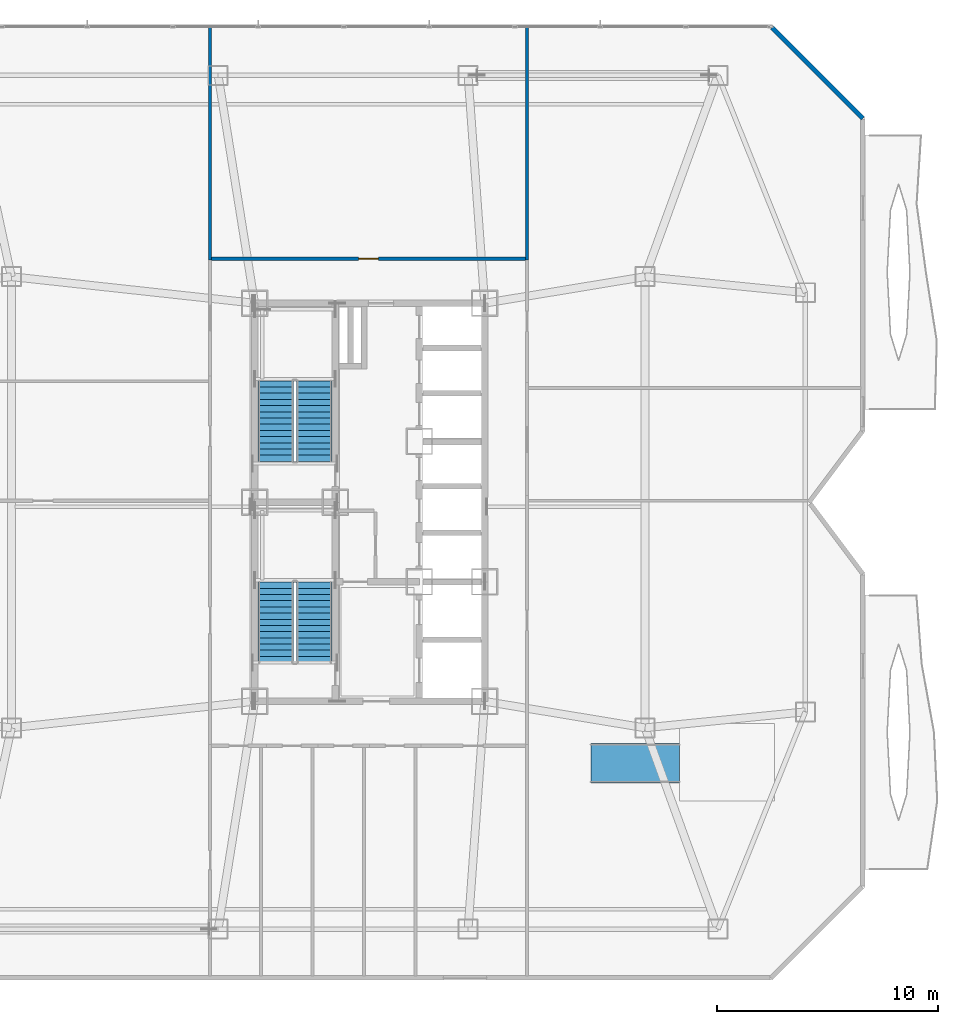
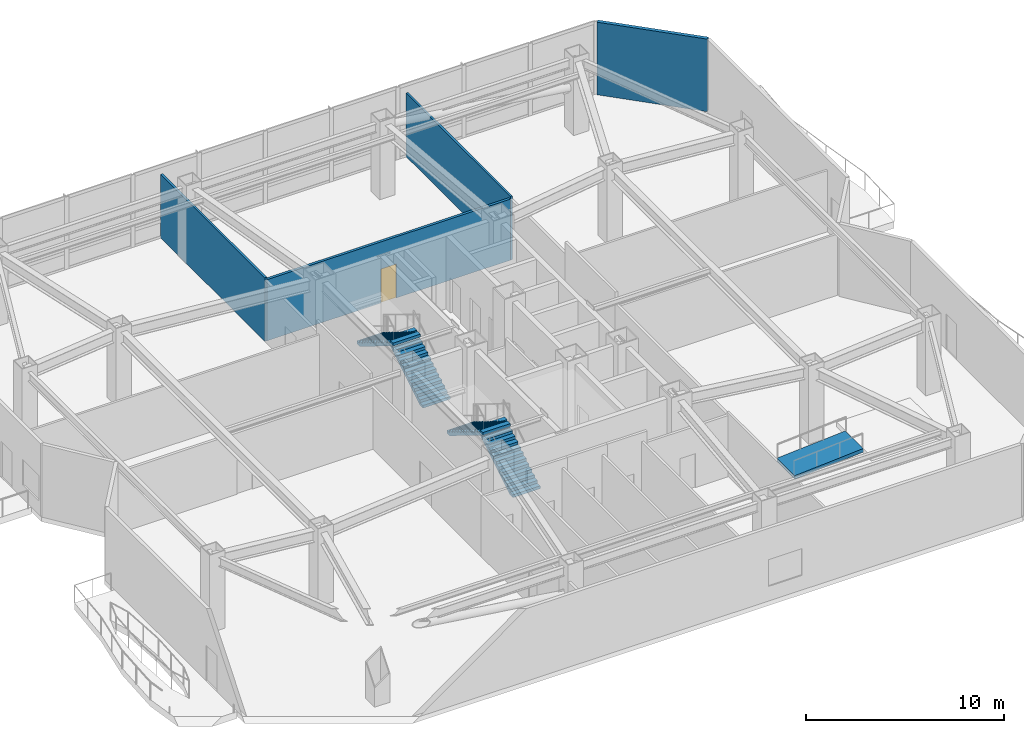
# One storey, part 12 of 16: 4 stair flights, 4 walls, 1 door, 1 ramp flight, 1 opening, 3 elements without a shape of their own.
"""IFC4 building model written with IfcOpenShell, lengths in metres."""

from ifc_helpers import new_model, si_unit, direction, frame, frame_2d, origin, place, context, subcontext, project, spatial, polyline, rectangle, outline, extrude, material, layer, layer_set, type_object, element, fill, aggregate, save


model = new_model("IFC4")

# Units and contexts
model_context = context("Model", 3, precision=1e-05, world=origin(), true_north=direction((0.0, 1.0)))
body_context = subcontext(model_context, "Body", "Model", "MODEL_VIEW")
ifc_project = project(units=[si_unit("LENGTHUNIT", "METRE"), si_unit("AREAUNIT", "SQUARE_METRE"), si_unit("VOLUMEUNIT", "CUBIC_METRE"), si_unit("PLANEANGLEUNIT", "RADIAN"), si_unit("MASSUNIT", "GRAM", prefix="KILO")], contexts=[model_context])

# Site, building, storey
site_placement = place(None, origin())
site = spatial("IfcSite", under=ifc_project, at=site_placement, CompositionType="ELEMENT")
building_placement = place(site_placement, origin())
building = spatial("IfcBuilding", under=site, at=building_placement, Name="Khamvora Tower", CompositionType="ELEMENT")
storey_placement = place(building_placement, frame((0.0, 0.0, 145.699951171875)))
storey = spatial("IfcBuildingStorey", under=building, at=storey_placement, Name="L37", CompositionType="ELEMENT", Elevation=145.699951171875)

# Wall, opening, door
ifc_material_1 = material(Name="Fire-Rated Drywall and Steel Stud", Category="steel")
ifc_layer_1 = layer(ifc_material_1, 0.14990234375)
ifc_layer_set_1 = layer_set([ifc_layer_1], Name="Fire-Rated Drywall and Steel Stud")
wall_type_1 = type_object("IfcWallType", Name="WAL-CORR-150", PredefinedType="STANDARD", material=ifc_layer_set_1)
wall_1_placement = place(storey_placement, frame((27.050048828125, 39.014892578125, 0.0), z_axis=(0.0, 0.0, 1.0), x_axis=(1.0, 0.0, 0.0)))
wall_1 = element("IfcWall", 1, at=wall_1_placement, inside=storey, type_object=wall_type_1, Name="L37 interior partition wall 014", PredefinedType="STANDARD", context=body_context, shape_type="SweptSolid", body=[
    extrude(rectangle(XDim=14.199951171875, YDim=0.14990234375, at=frame_2d((7.10009765625, 0.0))), origin(), (0.0, 0.0, 1.0), 3.775146484375),
])
opening_placement = place(wall_1_placement, frame((6.64990234375, 0.0, 0.0)))
opening = element("IfcOpeningElement", 2, at=opening_placement, cuts=wall_1, Name="Opening D-RM1", PredefinedType="OPENING", context=body_context, shape_type="SweptSolid", body=[
    extrude(rectangle(XDim=0.89990234375, YDim=2.10009765625, at=frame_2d((0.449951171875, 1.050048828125))), frame((0.0, 0.0849609375, 0.0), z_axis=(0.0, -1.0, 0.0), x_axis=(1.0, 0.0, 0.0)), (0.0, 0.0, 1.0), 0.169921875),
])
ifc_material_2 = material(Name="Powder-Coated Steel and Hardwood Leaf", Category="steel")
door_type = type_object("IfcDoorType", Name="DOR-ROOM-900", OperationType="NOTDEFINED", PredefinedType="DOOR", material=ifc_material_2)
door_placement = place(opening_placement, origin())
door = element("IfcDoor", 3, at=door_placement, inside=storey, type_object=door_type, Name="L37 interior door ACOR-ASTR", OperationType="SINGLE_SWING_RIGHT", OverallHeight=2.10009765625, OverallWidth=0.89990234375, PredefinedType="DOOR", context=body_context, shape_type="SweptSolid", body=[
    extrude(rectangle(XDim=0.89990234375, YDim=2.10009765625, at=frame_2d((0.449951171875, 1.050048828125))), frame((0.0, 0.02490234375, 0.0), z_axis=(0.0, -1.0, 0.0), x_axis=(1.0, 0.0, 0.0)), (0.0, 0.0, 1.0), 0.050048828125),
])
fill(opening, door)

# Walls
ifc_material_3 = material(Name="Precast concrete C40/50", Category="concrete")
ifc_layer_2 = layer(ifc_material_3, 0.199951171875)
ifc_layer_set_2 = layer_set([ifc_layer_2], Name="Precast concrete C40/50")
wall_type_2 = type_object("IfcWallType", Name="WAL-EXT-200", PredefinedType="STANDARD", material=ifc_layer_set_2)
wall_2_placement = place(storey_placement, frame((52.404052734375, 49.455078125, 0.0), z_axis=(0.0, 0.0, 1.0), x_axis=(0.707085707805, -0.70712785394, 0.0)))
element("IfcWall", 4, at=wall_2_placement, inside=storey, type_object=wall_type_2, Name="L37 exterior facade wall 08.1", PredefinedType="STANDARD", context=body_context, shape_type="SweptSolid", body=[
    extrude(rectangle(XDim=5.792724609375, YDim=0.199951171875, at=frame_2d((2.896484375, 0.0))), origin(), (0.0, 0.0, 1.0), 4.47998046875),
])
ifc_material_4 = material(Name="Gypsum Plasterboard Partition", Category="gypsum")
ifc_layer_3 = layer(ifc_material_4, 0.1201171875)
ifc_layer_set_3 = layer_set([ifc_layer_3], Name="Gypsum Plasterboard Partition")
wall_type_3 = type_object("IfcWallType", Name="WAL-PART-120", PredefinedType="PARTITIONING", material=ifc_layer_set_3)
for number, where, z_axis, x_axis, name in (
    (5, (26.985107421875, 49.489990234375, 0.0), (0.0, 0.0, 1.0), (0.0, -1.0, 0.0), "L37 interior partition wall 020"),
    (6, (41.31494140625, 38.949951171875, 0.0), (0.0, 0.0, 1.0), (0.0, 1.0, 0.0), "L37 interior partition wall 022"),
):
    element("IfcWall", number, at=place(storey_placement, frame(where, z_axis=z_axis, x_axis=x_axis)), inside=storey, type_object=wall_type_3, Name=name, PredefinedType="PARTITIONING", context=body_context, shape_type="SweptSolid", body=[
        extrude(rectangle(XDim=10.5400390625, YDim=0.1201171875, at=frame_2d((5.27001953125, 0.0))), origin(), (0.0, 0.0, 1.0), 3.926025390625),
    ])

# Stair, stair flights
ifc_material_5 = material(Name="Concrete C40/50", Category="concrete")
stair_type_1 = type_object("IfcStairType", Name="STR-ST-01", PredefinedType="HALF_TURN_STAIR", material=ifc_material_5)
stair_1_placement = place(storey_placement, origin())
stair_1 = element("IfcStair", 7, at=stair_1_placement, inside=storey, type_object=stair_type_1, Name="L37 South Tower Exit Stair ST-01", PredefinedType="HALF_TURN_STAIR")
stair_flight_type_1 = type_object("IfcStairFlightType", Name="STF-ST-01", PredefinedType="STRAIGHT", material=ifc_material_5)
stair_flight_1_placement = place(storey_placement, frame((31.699951171875, 20.75, 0.0), z_axis=(0.0, 0.0, 1.0), x_axis=(0.0, 1.0, 0.0)))
stair_flight_1 = element("IfcStairFlight", 8, at=stair_flight_1_placement, type_object=stair_flight_type_1, Name="ST-01 flight 1", NumberOfRisers=14, NumberOfTreads=13, PredefinedType="STRAIGHT", RiserHeight=0.171428571, TreadLength=0.28, context=body_context, shape_type="SweptSolid", body=[
    extrude(outline(polyline([(0.0, 0.0), (0.0, 0.17138671875), (0.280029296875, 0.17138671875), (0.280029296875, 0.3427734375), (0.56005859375, 0.3427734375), (0.56005859375, 0.514404296875), (0.840087890625, 0.514404296875), (0.840087890625, 0.685791015625), (1.1201171875, 0.685791015625), (1.1201171875, 0.857177734375), (1.39990234375, 0.857177734375), (1.39990234375, 1.028564453125), (1.679931640625, 1.028564453125), (1.679931640625, 1.199951171875), (1.9599609375, 1.199951171875), (1.9599609375, 1.371337890625), (2.239990234375, 1.371337890625), (2.239990234375, 1.54296875), (2.52001953125, 1.54296875), (2.52001953125, 1.71435546875), (2.800048828125, 1.71435546875), (2.800048828125, 1.8857421875), (3.080078125, 1.8857421875), (3.080078125, 2.05712890625), (3.360107421875, 2.05712890625), (3.360107421875, 2.228515625), (3.639892578125, 2.228515625), (3.639892578125, 2.39990234375), (3.639892578125, 2.052734375), (0.287109375, 0.0), (0.0, 0.0)])), frame((0.0, 0.800048828125, 0.0), z_axis=(0.0, -1.0, 0.0), x_axis=(1.0, 0.0, 0.0)), (0.0, 0.0, 1.0), 1.60009765625),
])
stair_flight_2_placement = place(storey_placement, frame((29.949951171875, 24.389892578125, 2.400146484375), z_axis=(0.0, 0.0, 1.0), x_axis=(0.0, -1.0, 0.0)))
stair_flight_2 = element("IfcStairFlight", 9, at=stair_flight_2_placement, type_object=stair_flight_type_1, Name="ST-01 flight 2", NumberOfRisers=14, NumberOfTreads=13, PredefinedType="STRAIGHT", RiserHeight=0.171428571, TreadLength=0.28, context=body_context, shape_type="SweptSolid", body=[
    extrude(outline(polyline([(0.0, 0.0), (0.0, 0.17138671875), (0.280029296875, 0.17138671875), (0.280029296875, 0.3427734375), (0.56005859375, 0.3427734375), (0.56005859375, 0.514404296875), (0.840087890625, 0.514404296875), (0.840087890625, 0.685791015625), (1.1201171875, 0.685791015625), (1.1201171875, 0.857177734375), (1.39990234375, 0.857177734375), (1.39990234375, 1.028564453125), (1.679931640625, 1.028564453125), (1.679931640625, 1.199951171875), (1.9599609375, 1.199951171875), (1.9599609375, 1.371337890625), (2.239990234375, 1.371337890625), (2.239990234375, 1.54296875), (2.52001953125, 1.54296875), (2.52001953125, 1.71435546875), (2.800048828125, 1.71435546875), (2.800048828125, 1.8857421875), (3.080078125, 1.8857421875), (3.080078125, 2.05712890625), (3.360107421875, 2.05712890625), (3.360107421875, 2.228515625), (3.639892578125, 2.228515625), (3.639892578125, 2.39990234375), (3.639892578125, 2.052734375), (0.287109375, 0.0), (0.0, 0.0)])), frame((0.0, 0.800048828125, 0.0), z_axis=(0.0, -1.0, 0.0), x_axis=(1.0, 0.0, 0.0)), (0.0, 0.0, 1.0), 1.60009765625),
])
aggregate(stair_1, [stair_flight_1, stair_flight_2])

stair_type_2 = type_object("IfcStairType", Name="STR-ST-02", PredefinedType="HALF_TURN_STAIR", material=ifc_material_5)
stair_2_placement = place(storey_placement, origin())
stair_2 = element("IfcStair", 10, at=stair_2_placement, inside=storey, type_object=stair_type_2, Name="L37 North Tower Exit Stair ST-02", PredefinedType="HALF_TURN_STAIR")
stair_flight_type_2 = type_object("IfcStairFlightType", Name="STF-ST-02", PredefinedType="STRAIGHT", material=ifc_material_5)
stair_flight_3_placement = place(storey_placement, frame((31.699951171875, 29.85009765625, 0.0), z_axis=(0.0, 0.0, 1.0), x_axis=(0.0, 1.0, 0.0)))
stair_flight_3 = element("IfcStairFlight", 11, at=stair_flight_3_placement, type_object=stair_flight_type_2, Name="ST-02 flight 1", NumberOfRisers=14, NumberOfTreads=13, PredefinedType="STRAIGHT", RiserHeight=0.171428571, TreadLength=0.28, context=body_context, shape_type="SweptSolid", body=[
    extrude(outline(polyline([(0.0, 0.0), (0.0, 0.17138671875), (0.280029296875, 0.17138671875), (0.280029296875, 0.3427734375), (0.56005859375, 0.3427734375), (0.56005859375, 0.514404296875), (0.840087890625, 0.514404296875), (0.840087890625, 0.685791015625), (1.1201171875, 0.685791015625), (1.1201171875, 0.857177734375), (1.39990234375, 0.857177734375), (1.39990234375, 1.028564453125), (1.679931640625, 1.028564453125), (1.679931640625, 1.199951171875), (1.9599609375, 1.199951171875), (1.9599609375, 1.371337890625), (2.239990234375, 1.371337890625), (2.239990234375, 1.54296875), (2.52001953125, 1.54296875), (2.52001953125, 1.71435546875), (2.800048828125, 1.71435546875), (2.800048828125, 1.8857421875), (3.080078125, 1.8857421875), (3.080078125, 2.05712890625), (3.360107421875, 2.05712890625), (3.360107421875, 2.228515625), (3.639892578125, 2.228515625), (3.639892578125, 2.39990234375), (3.639892578125, 2.052734375), (0.287109375, 0.0), (0.0, 0.0)])), frame((0.0, 0.800048828125, 0.0), z_axis=(0.0, -1.0, 0.0), x_axis=(1.0, 0.0, 0.0)), (0.0, 0.0, 1.0), 1.60009765625),
])
stair_flight_4_placement = place(storey_placement, frame((29.949951171875, 33.489990234375, 2.400146484375), z_axis=(0.0, 0.0, 1.0), x_axis=(0.0, -1.0, 0.0)))
stair_flight_4 = element("IfcStairFlight", 12, at=stair_flight_4_placement, type_object=stair_flight_type_2, Name="ST-02 flight 2", NumberOfRisers=14, NumberOfTreads=13, PredefinedType="STRAIGHT", RiserHeight=0.171428571, TreadLength=0.28, context=body_context, shape_type="SweptSolid", body=[
    extrude(outline(polyline([(0.0, 0.0), (0.0, 0.17138671875), (0.280029296875, 0.17138671875), (0.280029296875, 0.3427734375), (0.56005859375, 0.3427734375), (0.56005859375, 0.514404296875), (0.840087890625, 0.514404296875), (0.840087890625, 0.685791015625), (1.1201171875, 0.685791015625), (1.1201171875, 0.857177734375), (1.39990234375, 0.857177734375), (1.39990234375, 1.028564453125), (1.679931640625, 1.028564453125), (1.679931640625, 1.199951171875), (1.9599609375, 1.199951171875), (1.9599609375, 1.371337890625), (2.239990234375, 1.371337890625), (2.239990234375, 1.54296875), (2.52001953125, 1.54296875), (2.52001953125, 1.71435546875), (2.800048828125, 1.71435546875), (2.800048828125, 1.8857421875), (3.080078125, 1.8857421875), (3.080078125, 2.05712890625), (3.360107421875, 2.05712890625), (3.360107421875, 2.228515625), (3.639892578125, 2.228515625), (3.639892578125, 2.39990234375), (3.639892578125, 2.052734375), (0.287109375, 0.0), (0.0, 0.0)])), frame((0.0, 0.800048828125, 0.0), z_axis=(0.0, -1.0, 0.0), x_axis=(1.0, 0.0, 0.0)), (0.0, 0.0, 1.0), 1.60009765625),
])
aggregate(stair_2, [stair_flight_3, stair_flight_4])

# Ramp, ramp flight
ramp_type = type_object("IfcRampType", Name="RMP-ACC-1800", PredefinedType="STRAIGHT_RUN_RAMP", material=ifc_material_5)
ramp_placement = place(storey_placement, origin())
ramp = element("IfcRamp", 13, at=ramp_placement, inside=storey, type_object=ramp_type, Name="L37 Sky-Garden Accessible Planter Deck Ramp RMP-02", PredefinedType="STRAIGHT_RUN_RAMP")
ifc_layer_4 = layer(ifc_material_5, 0.219970703125)
ifc_layer_set_4 = layer_set([ifc_layer_4], Name="Concrete C40/50")
ramp_flight_type = type_object("IfcRampFlightType", Name="RMF-ACC-1800", PredefinedType="STRAIGHT", material=ifc_layer_set_4)
ramp_flight_placement = place(storey_placement, frame((44.199951171875, 15.300048828125, 0.0), z_axis=(-0.069836398408, 0.0, 0.997558458165), x_axis=(0.997558458165, 0.0, 0.069836398408)))
ramp_flight = element("IfcRampFlight", 14, at=ramp_flight_placement, type_object=ramp_flight_type, Name="L37 Sky-Garden Accessible Planter Deck Ramp RMP-02 flight", PredefinedType="STRAIGHT", context=body_context, shape_type="SweptSolid", body=[
    extrude(outline(polyline([(0.0, 0.0), (4.009790070204213, 0.0), (4.009790070204213, 1.8000488281250004), (0.0, 1.8000488281250004), (0.0, 0.0)])), origin(), (0.0, 0.0, -1.0), 0.219970703125),
])
aggregate(ramp, [ramp_flight])

save(model, "model.ifc")
